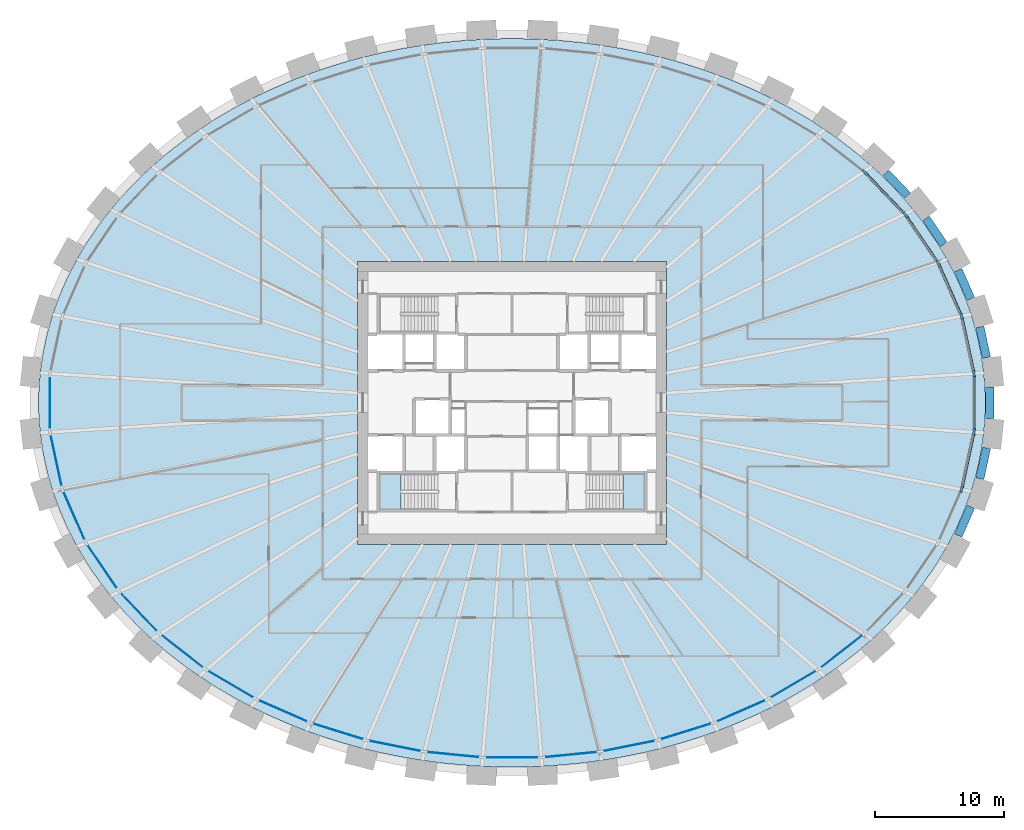
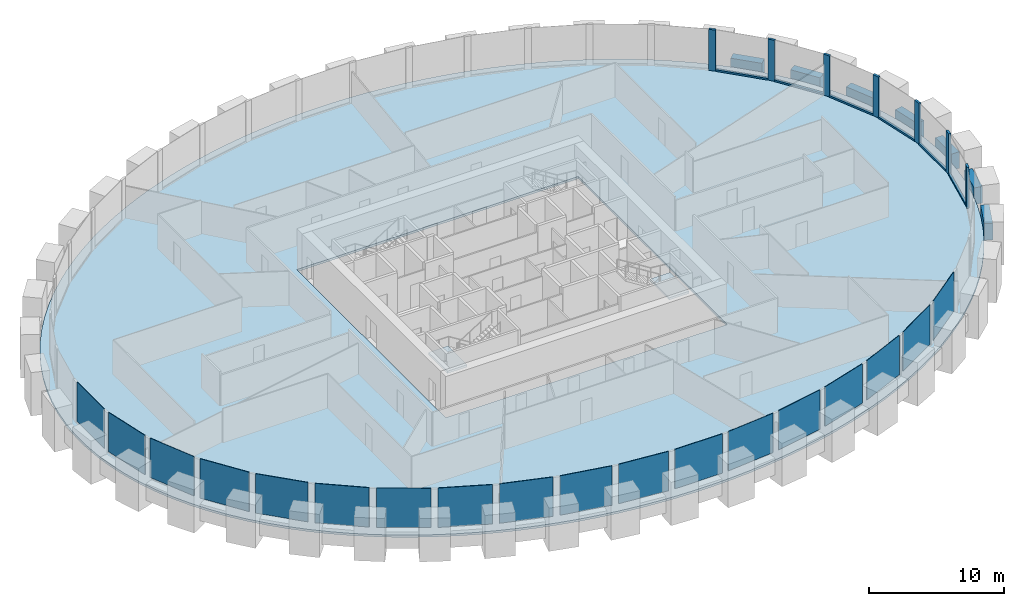
# One storey, part 4 of 10: 18 plates, 13 members, 7 beams, 3 slabs, 3 elements without a shape of their own.
"""IFC4 building model written with IfcOpenShell, lengths in metres."""

from ifc_helpers import new_model, si_unit, direction, frame, origin, origin_2d, place, context, subcontext, project, spatial, polyline, rectangle, outline, extrude, source, transform, mapped, material, layer, layer_set, material_profile, profile_set, type_object, element, aggregate, save


model = new_model("IFC4")

# Units and contexts
model_context = context("Model", 3, precision=1e-05, world=origin(), true_north=direction((0.0, 1.0)))
body_context = subcontext(model_context, "Body", "Model", "MODEL_VIEW")
ifc_project = project(units=[si_unit("LENGTHUNIT", "METRE"), si_unit("AREAUNIT", "SQUARE_METRE"), si_unit("VOLUMEUNIT", "CUBIC_METRE"), si_unit("PLANEANGLEUNIT", "RADIAN"), si_unit("MASSUNIT", "GRAM", prefix="KILO")], contexts=[model_context])

# Site, building, storey
site_placement = place(None, origin())
site = spatial("IfcSite", under=ifc_project, at=site_placement, CompositionType="ELEMENT")
building_placement = place(site_placement, origin())
building = spatial("IfcBuilding", under=site, at=building_placement, Name="Embergate Tower", CompositionType="ELEMENT")
storey_placement = place(building_placement, frame((0.0, 0.0, 171.60009765625)))
storey = spatial("IfcBuildingStorey", under=building, at=storey_placement, Name="L38", CompositionType="ELEMENT", Elevation=171.60009765625)

# Beams
ifc_material_1 = material(Name="Concrete C70", Category="concrete")
ifc_material_profile_1 = material_profile(ifc_material_1, rectangle(XDim=0.64990234375, YDim=1.5, at=origin_2d()), Name="RC 650x1500")
ifc_profile_set_1 = profile_set([ifc_material_profile_1], Name="Concrete C70")
beam_type = type_object("IfcBeamType", Name="Spandrel beam RC 650x1500 C70", PredefinedType="BEAM", material=ifc_profile_set_1)
shared_shape_1 = source(origin(), body_context, "Body", "SweptSolid", [
    extrude(rectangle(XDim=0.64990234375, YDim=1.5, at=origin_2d()), origin(), (0.0, 0.0, 1.0), 2.439697265625),
])
for number, where, z_axis, x_axis, name in (
    (1, (36.87109375, 3.508056640625, 0.0), (-0.210738503873, 0.977542471193, 0.0), (-0.977542471193, -0.210738503873, 0.0), "SPN-L38-00"),
    (2, (36.35693359375, -5.89306640625, 0.0), (0.210738503873, 0.977542471193, 0.0), (-0.977542471193, 0.210738503873, 0.0), "SPN-L38-42"),
):
    element("IfcBeam", number, at=place(storey_placement, frame(where, z_axis=z_axis, x_axis=x_axis)), inside=storey, type_object=beam_type, Name=name, PredefinedType="BEAM", context=body_context, shape_type="MappedRepresentation", body=[
        mapped(shared_shape_1, transform((0.0, 0.0, 0.0))),
    ])
shared_shape_2 = source(origin(), body_context, "Body", "SweptSolid", [
    extrude(rectangle(XDim=0.64990234375, YDim=1.5, at=origin_2d()), origin(), (0.0, 0.0, 1.0), 2.436279296875),
])
for number, where, z_axis, x_axis, name in (
    (3, (35.64990234375, 8.0810546875, 0.0), (-0.401838418441, 0.915710590452, 0.0), (-0.915710590452, -0.401838418441, 0.0), "SPN-L38-01"),
    (4, (34.6708984375, -10.31201171875, 0.0), (0.401838418441, 0.915710590452, 0.0), (-0.915710590452, 0.401838418441, 0.0), "SPN-L38-41"),
):
    element("IfcBeam", number, at=place(storey_placement, frame(where, z_axis=z_axis, x_axis=x_axis)), inside=storey, type_object=beam_type, Name=name, PredefinedType="BEAM", context=body_context, shape_type="MappedRepresentation", body=[
        mapped(shared_shape_2, transform((0.0, 0.0, 0.0))),
    ])
shared_shape_3 = source(origin(), body_context, "Body", "SweptSolid", [
    extrude(rectangle(XDim=0.64990234375, YDim=1.5, at=origin_2d()), origin(), (0.0, 0.0, 1.0), 2.42724609375),
])
beam_1_placement = place(storey_placement, frame((33.5400390625, 12.31494140625, 0.0), z_axis=(-0.562359541569, 0.826892826191, 0.0), x_axis=(-0.826892826191, -0.562359541569, 0.0)))
element("IfcBeam", 5, at=beam_1_placement, inside=storey, type_object=beam_type, Name="SPN-L38-02", PredefinedType="BEAM", context=body_context, shape_type="MappedRepresentation", body=[
    mapped(shared_shape_3, transform((0.0, 0.0, 0.0))),
])
shared_shape_4 = source(origin(), body_context, "Body", "SweptSolid", [
    extrude(rectangle(XDim=0.64990234375, YDim=1.5, at=origin_2d()), origin(), (0.0, 0.0, 1.0), 2.421630859375),
])
beam_2_placement = place(storey_placement, frame((30.72998046875, 16.111083984375, 0.0), z_axis=(-0.68996725843, 0.723840577955, 0.0), x_axis=(-0.723840577955, -0.68996725843, 0.0)))
element("IfcBeam", 6, at=beam_2_placement, inside=storey, type_object=beam_type, Name="SPN-L38-03", PredefinedType="BEAM", context=body_context, shape_type="MappedRepresentation", body=[
    mapped(shared_shape_4, transform((0.0, 0.0, 0.0))),
])
shared_shape_5 = source(origin(), body_context, "Body", "SweptSolid", [
    extrude(rectangle(XDim=0.64990234375, YDim=1.5, at=origin_2d()), origin(), (0.0, 0.0, 1.0), 2.44189453125),
])
beam_3_placement = place(storey_placement, frame((37.114013671875, -1.220947265625, 0.0), z_axis=(0.0, 1.0, 0.0), x_axis=(-1.0, 0.0, 0.0)))
element("IfcBeam", 7, at=beam_3_placement, inside=storey, type_object=beam_type, Name="SPN-L38-43", PredefinedType="BEAM", context=body_context, shape_type="MappedRepresentation", body=[
    mapped(shared_shape_5, transform((0.0, 0.0, 0.0))),
])

# Curtain wall, members
ifc_material_2 = material(Name="Aluminium and glass", Category="aluminium")
curtain_wall_type = type_object("IfcCurtainWallType", Name="Recessed office glazing", PredefinedType="NOTDEFINED", material=ifc_material_2)
curtain_wall_placement = place(storey_placement, origin())
curtain_wall = element("IfcCurtainWall", 8, at=curtain_wall_placement, inside=storey, type_object=curtain_wall_type, Name="Recessed office glazing ring", ObjectType="RECESSED OFFICE GLAZING", PredefinedType="USERDEFINED")
ifc_material_3 = material(Name="Aluminium, thermally broken", Category="aluminium")
ifc_material_profile_2 = material_profile(ifc_material_3, rectangle(XDim=0.179931640625, YDim=0.52001953125, at=origin_2d()), Name="AL 520x180")
ifc_profile_set_2 = profile_set([ifc_material_profile_2], Name="Aluminium, thermally broken")
member_type_1 = type_object("IfcMemberType", Name="Office mullion", PredefinedType="MULLION", material=ifc_profile_set_2)
shared_shape_6 = source(origin(), body_context, "Body", "SweptSolid", [
    extrude(rectangle(XDim=0.179931640625, YDim=0.52001953125, at=origin_2d()), origin(), (0.0, 0.0, 1.0), 3.699951171875),
])
member_1_placement = place(storey_placement, frame((35.899658203125, 2.263427734375, 0.0), z_axis=(0.0, 0.0, 1.0), x_axis=(-0.994384770038, -0.105824992874, 0.0)))
member_1 = element("IfcMember", 9, at=member_1_placement, type_object=member_type_1, Name="CW mullion 1", PredefinedType="MULLION", context=body_context, shape_type="MappedRepresentation", body=[
    mapped(shared_shape_6, transform((0.0, 0.0, 0.0))),
])
member_2_placement = place(storey_placement, frame((34.94677734375, 6.691650390625, 0.0), z_axis=(0.0, 0.0, 1.0), x_axis=(-0.951496187099, -0.307660536853, 0.0)))
member_2 = element("IfcMember", 10, at=member_2_placement, type_object=member_type_1, Name="CW mullion 2", PredefinedType="MULLION", context=body_context, shape_type="MappedRepresentation", body=[
    mapped(shared_shape_6, transform((0.0, 0.0, 0.0))),
])
member_3_placement = place(storey_placement, frame((33.12451171875, 10.84619140625, 0.0), z_axis=(0.0, 0.0, 1.0), x_axis=(-0.874998516019, -0.484125600402, 0.0)))
member_3 = element("IfcMember", 11, at=member_3_placement, type_object=member_type_1, Name="CW mullion 3", PredefinedType="MULLION", context=body_context, shape_type="MappedRepresentation", body=[
    mapped(shared_shape_6, transform((0.0, 0.0, 0.0))),
])
member_4_placement = place(storey_placement, frame((30.568359375, 14.60498046875, 0.0), z_axis=(0.0, 0.0, 1.0), x_axis=(-0.777867080309, -0.62842883875, 0.0)))
member_4 = element("IfcMember", 12, at=member_4_placement, type_object=member_type_1, Name="CW mullion 4", PredefinedType="MULLION", context=body_context, shape_type="MappedRepresentation", body=[
    mapped(shared_shape_6, transform((0.0, 0.0, 0.0))),
])
member_5_placement = place(storey_placement, frame((27.425537109375, 17.900634765625, 0.0), z_axis=(0.0, 0.0, 1.0), x_axis=(-0.671221359023, -0.741256964346, 0.0)))
member_5 = element("IfcMember", 13, at=member_5_placement, type_object=member_type_1, Name="CW mullion 5", PredefinedType="MULLION", context=body_context, shape_type="MappedRepresentation", body=[
    mapped(shared_shape_6, transform((0.0, 0.0, 0.0))),
])
member_6_placement = place(storey_placement, frame((34.94677734375, -6.691650390625, 0.0), z_axis=(0.0, 0.0, 1.0), x_axis=(-0.951496187099, 0.307660536853, 0.0)))
member_6 = element("IfcMember", 14, at=member_6_placement, type_object=member_type_1, Name="CW mullion 43", PredefinedType="MULLION", context=body_context, shape_type="MappedRepresentation", body=[
    mapped(shared_shape_6, transform((0.0, 0.0, 0.0))),
])
member_7_placement = place(storey_placement, frame((35.899658203125, -2.263427734375, 0.0), z_axis=(0.0, 0.0, 1.0), x_axis=(-0.994384770038, 0.105824992874, 0.0)))
member_7 = element("IfcMember", 15, at=member_7_placement, type_object=member_type_1, Name="CW mullion 44", PredefinedType="MULLION", context=body_context, shape_type="MappedRepresentation", body=[
    mapped(shared_shape_6, transform((0.0, 0.0, 0.0))),
])
ifc_material_profile_3 = material_profile(ifc_material_3, rectangle(XDim=0.179931640625, YDim=0.14990234375, at=origin_2d()), Name="AL 150x180")
ifc_profile_set_3 = profile_set([ifc_material_profile_3], Name="Aluminium, thermally broken")
member_type_2 = type_object("IfcMemberType", Name="Office sill transom", PredefinedType="USERDEFINED", material=ifc_profile_set_3)
shared_shape_7 = source(origin(), body_context, "Body", "SweptSolid", [
    extrude(rectangle(XDim=0.179931640625, YDim=0.14990234375, at=origin_2d()), origin(), (0.0, 0.0, 1.0), 4.009765625),
])
member_8_placement = place(storey_placement, frame((35.844970703125, 2.517578125, 0.074951171875), z_axis=(-0.210368972531, 0.977622061635, 0.0), x_axis=(-0.977622061635, -0.210368972531, 0.0)))
member_8 = element("IfcMember", 16, at=member_8_placement, type_object=member_type_2, Name="CW transom 1.1", ObjectType="TRANSOM", PredefinedType="USERDEFINED", context=body_context, shape_type="MappedRepresentation", body=[
    mapped(shared_shape_7, transform((0.0, 0.0, 0.0))),
])
member_9_placement = place(storey_placement, frame((35.00146484375, -6.4375, 0.074951171875), z_axis=(0.210368972531, 0.977622061635, 0.0), x_axis=(-0.977622061635, 0.210368972531, 0.0)))
member_9 = element("IfcMember", 17, at=member_9_placement, type_object=member_type_2, Name="CW transom 43.1", ObjectType="TRANSOM", PredefinedType="USERDEFINED", context=body_context, shape_type="MappedRepresentation", body=[
    mapped(shared_shape_7, transform((0.0, 0.0, 0.0))),
])
shared_shape_8 = source(origin(), body_context, "Body", "SweptSolid", [
    extrude(rectangle(XDim=0.179931640625, YDim=0.14990234375, at=origin_2d()), origin(), (0.0, 0.0, 1.0), 4.0166015625),
])
member_10_placement = place(storey_placement, frame((34.84228515625, 6.9296875, 0.074951171875), z_axis=(-0.401644503167, 0.915795661202, 0.0), x_axis=(-0.915795661202, -0.401644503167, 0.0)))
member_10 = element("IfcMember", 18, at=member_10_placement, type_object=member_type_2, Name="CW transom 2.1", ObjectType="TRANSOM", PredefinedType="USERDEFINED", context=body_context, shape_type="MappedRepresentation", body=[
    mapped(shared_shape_8, transform((0.0, 0.0, 0.0))),
])
shared_shape_9 = source(origin(), body_context, "Body", "SweptSolid", [
    extrude(rectangle(XDim=0.179931640625, YDim=0.14990234375, at=origin_2d()), origin(), (0.0, 0.0, 1.0), 4.025390625),
])
member_11_placement = place(storey_placement, frame((32.978271484375, 11.061279296875, 0.074951171875), z_axis=(-0.562346517012, 0.826901683881, 0.0), x_axis=(-0.826901683881, -0.562346517012, 0.0)))
member_11 = element("IfcMember", 19, at=member_11_placement, type_object=member_type_2, Name="CW transom 3.1", ObjectType="TRANSOM", PredefinedType="USERDEFINED", context=body_context, shape_type="MappedRepresentation", body=[
    mapped(shared_shape_9, transform((0.0, 0.0, 0.0))),
])
shared_shape_10 = source(origin(), body_context, "Body", "SweptSolid", [
    extrude(rectangle(XDim=0.179931640625, YDim=0.14990234375, at=origin_2d()), origin(), (0.0, 0.0, 1.0), 4.033935546875),
])
member_12_placement = place(storey_placement, frame((30.388916015625, 14.79296875, 0.074951171875), z_axis=(-0.690112930661, 0.723701694716, 0.0), x_axis=(-0.723701694716, -0.690112930661, 0.0)))
member_12 = element("IfcMember", 20, at=member_12_placement, type_object=member_type_2, Name="CW transom 4.1", ObjectType="TRANSOM", PredefinedType="USERDEFINED", context=body_context, shape_type="MappedRepresentation", body=[
    mapped(shared_shape_10, transform((0.0, 0.0, 0.0))),
])
shared_shape_11 = source(origin(), body_context, "Body", "SweptSolid", [
    extrude(rectangle(XDim=0.179931640625, YDim=0.14990234375, at=origin_2d()), origin(), (0.0, 0.0, 1.0), 4.0068359375),
])
member_13_placement = place(storey_placement, frame((35.899658203125, -2.00341796875, 0.074951171875), z_axis=(0.0, 1.0, 0.0), x_axis=(-1.0, 0.0, 0.0)))
member_13 = element("IfcMember", 21, at=member_13_placement, type_object=member_type_2, Name="CW transom 44.1", ObjectType="TRANSOM", PredefinedType="USERDEFINED", context=body_context, shape_type="MappedRepresentation", body=[
    mapped(shared_shape_11, transform((0.0, 0.0, 0.0))),
])

# Slab
ifc_material_4 = material(Name="Concrete C40", Category="concrete")
ifc_layer_1 = layer(ifc_material_4, 0.199951171875)
ifc_layer_set_1 = layer_set([ifc_layer_1], Name="Concrete C40")
slab_type_1 = type_object("IfcSlabType", Name="Composite floor slab C40 200", PredefinedType="FLOOR", material=ifc_layer_set_1)
shared_shape_12 = source(origin(), body_context, "Body", "SweptSolid", [
    extrude(outline(polyline([(0.0, 0.0), (1.55615234375, 0.0), (3.111083984375, 0.051025390625), (4.6669921875, 0.153076171875), (6.215087890625, 0.30517578125), (7.754150390625, 0.507080078125), (9.296142578125, 0.76318359375), (10.822021484375, 1.069091796875), (12.3291015625, 1.425048828125), (13.840087890625, 1.837158203125), (15.3251953125, 2.300048828125), (16.782958984375, 2.81201171875), (18.244140625, 3.38623046875), (19.670166015625, 4.010009765625), (21.05810546875, 4.68115234375), (22.445068359375, 5.422119140625), (23.7861328125, 6.210205078125), (25.0791015625, 7.045166015625), (26.363037109375, 7.95703125), (27.590087890625, 8.9140625), (28.756103515625, 9.9150390625), (29.900146484375, 10.9990234375), (30.97412109375, 12.125), (31.97412109375, 13.2900390625), (32.93310546875, 14.5400390625), (33.80712890625, 15.826171875), (34.594970703125, 17.14501953125), (35.317138671875, 18.541015625), (35.942138671875, 19.965087890625), (36.467041015625, 21.4130859375), (36.901123046875, 22.917236328125), (37.22802734375, 24.43603515625), (37.447021484375, 25.968017578125), (37.55810546875, 27.52001953125), (37.55810546875, 29.07421875), (37.447021484375, 30.626220703125), (37.22802734375, 32.158203125), (36.901123046875, 33.677001953125), (36.467041015625, 35.18115234375), (35.942138671875, 36.629150390625), (35.317138671875, 38.05322265625), (34.594970703125, 39.44921875), (33.80712890625, 40.76806640625), (32.93310546875, 42.05419921875), (31.97412109375, 43.30419921875), (30.97412109375, 44.46923828125), (29.900146484375, 45.59521484375), (28.756103515625, 46.67919921875), (27.590087890625, 47.68017578125), (26.363037109375, 48.63720703125), (25.0791015625, 49.549072265625), (23.7861328125, 50.384033203125), (22.445068359375, 51.172119140625), (21.05810546875, 51.9130859375), (19.670166015625, 52.584228515625), (18.244140625, 53.2080078125), (16.782958984375, 53.7822265625), (15.3251953125, 54.294189453125), (13.840087890625, 54.757080078125), (12.3291015625, 55.169189453125), (10.822021484375, 55.525146484375), (9.296142578125, 55.8310546875), (7.754150390625, 56.087158203125), (6.215087890625, 56.2890625), (4.6669921875, 56.441162109375), (3.111083984375, 56.543212890625), (1.55615234375, 56.59423828125), (0.0, 56.59423828125), (-1.554931640625, 56.543212890625), (-3.11083984375, 56.441162109375), (-4.658935546875, 56.2890625), (-6.197998046875, 56.087158203125), (-7.739990234375, 55.8310546875), (-9.265869140625, 55.525146484375), (-10.77294921875, 55.169189453125), (-12.283935546875, 54.757080078125), (-13.76904296875, 54.294189453125), (-15.226806640625, 53.7822265625), (-16.68798828125, 53.2080078125), (-18.114013671875, 52.584228515625), (-19.501953125, 51.9130859375), (-20.888916015625, 51.172119140625), (-22.22998046875, 50.384033203125), (-23.52294921875, 49.549072265625), (-24.806884765625, 48.63720703125), (-26.033935546875, 47.68017578125), (-27.199951171875, 46.67919921875), (-28.343994140625, 45.59521484375), (-29.41796875, 44.46923828125), (-30.41796875, 43.30419921875), (-31.376953125, 42.05419921875), (-32.2509765625, 40.76806640625), (-33.038818359375, 39.44921875), (-33.760986328125, 38.05322265625), (-34.385986328125, 36.629150390625), (-34.910888671875, 35.18115234375), (-35.344970703125, 33.677001953125), (-35.671875, 32.158203125), (-35.890869140625, 30.626220703125), (-36.001953125, 29.07421875), (-36.001953125, 27.52001953125), (-35.890869140625, 25.968017578125), (-35.671875, 24.43603515625), (-35.344970703125, 22.917236328125), (-34.910888671875, 21.4130859375), (-34.385986328125, 19.965087890625), (-33.760986328125, 18.541015625), (-33.038818359375, 17.14501953125), (-32.2509765625, 15.826171875), (-31.376953125, 14.5400390625), (-30.41796875, 13.2900390625), (-29.41796875, 12.125), (-28.343994140625, 10.9990234375), (-27.199951171875, 9.9150390625), (-26.033935546875, 8.9140625), (-24.806884765625, 7.95703125), (-23.52294921875, 7.045166015625), (-22.22998046875, 6.210205078125), (-20.888916015625, 5.422119140625), (-19.501953125, 4.68115234375), (-18.114013671875, 4.010009765625), (-16.68798828125, 3.38623046875), (-15.226806640625, 2.81201171875), (-13.76904296875, 2.300048828125), (-12.283935546875, 1.837158203125), (-10.77294921875, 1.425048828125), (-9.265869140625, 1.069091796875), (-7.739990234375, 0.76318359375), (-6.197998046875, 0.507080078125), (-4.658935546875, 0.30517578125), (-3.11083984375, 0.153076171875), (-1.554931640625, 0.051025390625), (0.0, 0.0)]), holes=[polyline([(-11.221923828125, 17.297119140625), (-11.221923828125, 39.297119140625), (12.778076171875, 39.297119140625), (12.778076171875, 17.297119140625), (-11.221923828125, 17.297119140625)])]), origin(), (0.0, 0.0, 1.0), 0.2001953125),
])
slab_1_placement = place(storey_placement, frame((-0.778076171875, -28.297119140625, -0.2001953125)))
element("IfcSlab", 22, at=slab_1_placement, inside=storey, type_object=slab_type_1, Name="SLB-L38-00", PredefinedType="FLOOR", context=body_context, shape_type="MappedRepresentation", body=[
    mapped(shared_shape_12, transform((0.0, 0.0, 0.0))),
])

# Plate
ifc_material_5 = material(Name="Triple glazing, low-emissivity coating", Category="glass")
ifc_layer_2 = layer(ifc_material_5, 0.035888671875)
ifc_layer_set_2 = layer_set([ifc_layer_2], Name="Triple glazing, low-emissivity coating")
plate_type = type_object("IfcPlateType", Name="Office glazing unit", PredefinedType="CURTAIN_PANEL", material=ifc_layer_set_2)
shared_shape_13 = source(origin(), body_context, "Body", "SweptSolid", [
    extrude(rectangle(XDim=4.055419921875, YDim=0.035888671875, at=origin_2d()), origin(), (0.0, 0.0, 1.0), 3.550048828125),
])
plate_1_placement = place(storey_placement, frame((-13.518798828125, -25.533935546875, 0.14990234375), z_axis=(0.0, 0.0, 1.0), x_axis=(0.954773255075, -0.29733488089, 0.0)))
plate_1 = element("IfcPlate", 23, at=plate_1_placement, type_object=plate_type, Name="CW panel 30.1", PredefinedType="CURTAIN_PANEL", context=body_context, shape_type="MappedRepresentation", body=[
    mapped(shared_shape_13, transform((0.0, 0.0, 0.0))),
])

plate_2_placement = place(storey_placement, frame((13.518798828125, -25.533935546875, 0.14990234375), z_axis=(0.0, 0.0, 1.0), x_axis=(0.954773255075, 0.29733488089, 0.0)))
plate_2 = element("IfcPlate", 24, at=plate_2_placement, type_object=plate_type, Name="CW panel 36.1", PredefinedType="CURTAIN_PANEL", context=body_context, shape_type="MappedRepresentation", body=[
    mapped(shared_shape_13, transform((0.0, 0.0, 0.0))),
])

shared_shape_14 = source(origin(), body_context, "Body", "SweptSolid", [
    extrude(rectangle(XDim=4.009765625, YDim=0.035888671875, at=origin_2d()), origin(), (0.0, 0.0, 1.0), 3.550048828125),
])
plate_3_placement = place(storey_placement, frame((-35.423095703125, -4.4775390625, 0.14990234375), z_axis=(0.0, 0.0, 1.0), x_axis=(0.210401803698, -0.977614996305, 0.0)))
plate_3 = element("IfcPlate", 25, at=plate_3_placement, type_object=plate_type, Name="CW panel 23.1", PredefinedType="CURTAIN_PANEL", context=body_context, shape_type="MappedRepresentation", body=[
    mapped(shared_shape_14, transform((0.0, 0.0, 0.0))),
])

shared_shape_15 = source(origin(), body_context, "Body", "SweptSolid", [
    extrude(rectangle(XDim=4.0166015625, YDim=0.035888671875, at=origin_2d()), origin(), (0.0, 0.0, 1.0), 3.550048828125),
])
plate_4_placement = place(storey_placement, frame((-34.03564453125, -8.76904296875, 0.14990234375), z_axis=(0.0, 0.0, 1.0), x_axis=(0.401658494584, -0.915789524797, 0.0)))
plate_4 = element("IfcPlate", 26, at=plate_4_placement, type_object=plate_type, Name="CW panel 24.1", PredefinedType="CURTAIN_PANEL", context=body_context, shape_type="MappedRepresentation", body=[
    mapped(shared_shape_15, transform((0.0, 0.0, 0.0))),
])

shared_shape_16 = source(origin(), body_context, "Body", "SweptSolid", [
    extrude(rectangle(XDim=4.025390625, YDim=0.035888671875, at=origin_2d()), origin(), (0.0, 0.0, 1.0), 3.550048828125),
])
plate_5_placement = place(storey_placement, frame((-31.846435546875, -12.7255859375, 0.14990234375), z_axis=(0.0, 0.0, 1.0), x_axis=(0.562347514787, -0.826901005328, 0.0)))
plate_5 = element("IfcPlate", 27, at=plate_5_placement, type_object=plate_type, Name="CW panel 25.1", PredefinedType="CURTAIN_PANEL", context=body_context, shape_type="MappedRepresentation", body=[
    mapped(shared_shape_16, transform((0.0, 0.0, 0.0))),
])

shared_shape_17 = source(origin(), body_context, "Body", "SweptSolid", [
    extrude(rectangle(XDim=4.0341796875, YDim=0.035888671875, at=origin_2d()), origin(), (0.0, 0.0, 1.0), 3.550048828125),
])
plate_6_placement = place(storey_placement, frame((-28.996826171875, -16.252685546875, 0.14990234375), z_axis=(0.0, 0.0, 1.0), x_axis=(0.690140099753, -0.723675785634, 0.0)))
plate_6 = element("IfcPlate", 28, at=plate_6_placement, type_object=plate_type, Name="CW panel 26.1", PredefinedType="CURTAIN_PANEL", context=body_context, shape_type="MappedRepresentation", body=[
    mapped(shared_shape_17, transform((0.0, 0.0, 0.0))),
])

shared_shape_18 = source(origin(), body_context, "Body", "SweptSolid", [
    extrude(rectangle(XDim=4.04150390625, YDim=0.035888671875, at=origin_2d()), origin(), (0.0, 0.0, 1.0), 3.550048828125),
])
plate_7_placement = place(storey_placement, frame((-25.62744140625, -19.3037109375, 0.14990234375), z_axis=(0.0, 0.0, 1.0), x_axis=(0.788324414597, -0.61525979663, 0.0)))
plate_7 = element("IfcPlate", 29, at=plate_7_placement, type_object=plate_type, Name="CW panel 27.1", PredefinedType="CURTAIN_PANEL", context=body_context, shape_type="MappedRepresentation", body=[
    mapped(shared_shape_18, transform((0.0, 0.0, 0.0))),
])

plate_8_placement = place(storey_placement, frame((25.62744140625, -19.3037109375, 0.14990234375), z_axis=(0.0, 0.0, 1.0), x_axis=(0.788324414597, 0.61525979663, 0.0)))
plate_8 = element("IfcPlate", 30, at=plate_8_placement, type_object=plate_type, Name="CW panel 39.1", PredefinedType="CURTAIN_PANEL", context=body_context, shape_type="MappedRepresentation", body=[
    mapped(shared_shape_18, transform((0.0, 0.0, 0.0))),
])

shared_shape_19 = source(origin(), body_context, "Body", "SweptSolid", [
    extrude(rectangle(XDim=4.047607421875, YDim=0.035888671875, at=origin_2d()), origin(), (0.0, 0.0, 1.0), 3.550048828125),
])
plate_9_placement = place(storey_placement, frame((-21.86083984375, -21.864501953125, 0.14990234375), z_axis=(0.0, 0.0, 1.0), x_axis=(0.862055821492, -0.506813339043, 0.0)))
plate_9 = element("IfcPlate", 31, at=plate_9_placement, type_object=plate_type, Name="CW panel 28.1", PredefinedType="CURTAIN_PANEL", context=body_context, shape_type="MappedRepresentation", body=[
    mapped(shared_shape_19, transform((0.0, 0.0, 0.0))),
])

plate_10_placement = place(storey_placement, frame((21.86083984375, -21.864501953125, 0.14990234375), z_axis=(0.0, 0.0, 1.0), x_axis=(0.862055821492, 0.506813339043, 0.0)))
plate_10 = element("IfcPlate", 32, at=plate_10_placement, type_object=plate_type, Name="CW panel 38.1", PredefinedType="CURTAIN_PANEL", context=body_context, shape_type="MappedRepresentation", body=[
    mapped(shared_shape_19, transform((0.0, 0.0, 0.0))),
])

shared_shape_20 = source(origin(), body_context, "Body", "SweptSolid", [
    extrude(rectangle(XDim=4.052001953125, YDim=0.035888671875, at=origin_2d()), origin(), (0.0, 0.0, 1.0), 3.550048828125),
])
plate_11_placement = place(storey_placement, frame((-17.797607421875, -23.937744140625, 0.14990234375), z_axis=(0.0, 0.0, 1.0), x_axis=(0.916238309467, -0.400633698365, 0.0)))
plate_11 = element("IfcPlate", 33, at=plate_11_placement, type_object=plate_type, Name="CW panel 29.1", PredefinedType="CURTAIN_PANEL", context=body_context, shape_type="MappedRepresentation", body=[
    mapped(shared_shape_20, transform((0.0, 0.0, 0.0))),
])

plate_12_placement = place(storey_placement, frame((17.797607421875, -23.937744140625, 0.14990234375), z_axis=(0.0, 0.0, 1.0), x_axis=(0.916238309467, 0.400633698365, 0.0)))
plate_12 = element("IfcPlate", 34, at=plate_12_placement, type_object=plate_type, Name="CW panel 37.1", PredefinedType="CURTAIN_PANEL", context=body_context, shape_type="MappedRepresentation", body=[
    mapped(shared_shape_20, transform((0.0, 0.0, 0.0))),
])

shared_shape_21 = source(origin(), body_context, "Body", "SweptSolid", [
    extrude(rectangle(XDim=4.0576171875, YDim=0.035888671875, at=origin_2d()), origin(), (0.0, 0.0, 1.0), 3.550048828125),
])
plate_13_placement = place(storey_placement, frame((-9.090576171875, -26.6640625, 0.14990234375), z_axis=(0.0, 0.0, 1.0), x_axis=(0.980476250608, -0.196637539636, 0.0)))
plate_13 = element("IfcPlate", 35, at=plate_13_placement, type_object=plate_type, Name="CW panel 31.1", PredefinedType="CURTAIN_PANEL", context=body_context, shape_type="MappedRepresentation", body=[
    mapped(shared_shape_21, transform((0.0, 0.0, 0.0))),
])

plate_14_placement = place(storey_placement, frame((9.090576171875, -26.6640625, 0.14990234375), z_axis=(0.0, 0.0, 1.0), x_axis=(0.980476250608, 0.196637539636, 0.0)))
plate_14 = element("IfcPlate", 36, at=plate_14_placement, type_object=plate_type, Name="CW panel 35.1", PredefinedType="CURTAIN_PANEL", context=body_context, shape_type="MappedRepresentation", body=[
    mapped(shared_shape_21, transform((0.0, 0.0, 0.0))),
])

shared_shape_22 = source(origin(), body_context, "Body", "SweptSolid", [
    extrude(rectangle(XDim=4.058837890625, YDim=0.035888671875, at=origin_2d()), origin(), (0.0, 0.0, 1.0), 3.550048828125),
])
plate_15_placement = place(storey_placement, frame((-4.568115234375, -27.338134765625, 0.14990234375), z_axis=(0.0, 0.0, 1.0), x_axis=(0.995203355531, -0.09782781373, 0.0)))
plate_15 = element("IfcPlate", 37, at=plate_15_placement, type_object=plate_type, Name="CW panel 32.1", PredefinedType="CURTAIN_PANEL", context=body_context, shape_type="MappedRepresentation", body=[
    mapped(shared_shape_22, transform((0.0, 0.0, 0.0))),
])

plate_16_placement = place(storey_placement, frame((4.568115234375, -27.338134765625, 0.14990234375), z_axis=(0.0, 0.0, 1.0), x_axis=(0.995203355531, 0.09782781373, 0.0)))
plate_16 = element("IfcPlate", 38, at=plate_16_placement, type_object=plate_type, Name="CW panel 34.1", PredefinedType="CURTAIN_PANEL", context=body_context, shape_type="MappedRepresentation", body=[
    mapped(shared_shape_22, transform((0.0, 0.0, 0.0))),
])

shared_shape_23 = source(origin(), body_context, "Body", "SweptSolid", [
    extrude(rectangle(XDim=4.05908203125, YDim=0.035888671875, at=origin_2d()), origin(), (0.0, 0.0, 1.0), 3.550048828125),
])
plate_17_placement = place(storey_placement, frame((0.0, -27.56201171875, 0.14990234375), z_axis=(0.0, 0.0, 1.0), x_axis=(1.0, 0.0, 0.0)))
plate_17 = element("IfcPlate", 39, at=plate_17_placement, type_object=plate_type, Name="CW panel 33.1", PredefinedType="CURTAIN_PANEL", context=body_context, shape_type="MappedRepresentation", body=[
    mapped(shared_shape_23, transform((0.0, 0.0, 0.0))),
])

shared_shape_24 = source(origin(), body_context, "Body", "SweptSolid", [
    extrude(rectangle(XDim=4.007080078125, YDim=0.035888671875, at=origin_2d()), origin(), (0.0, 0.0, 1.0), 3.550048828125),
])
plate_18_placement = place(storey_placement, frame((-35.899658203125, 0.0, 0.14990234375), z_axis=(0.0, 0.0, 1.0), x_axis=(0.0, -1.0, 0.0)))
plate_18 = element("IfcPlate", 40, at=plate_18_placement, type_object=plate_type, Name="CW panel 22.1", PredefinedType="CURTAIN_PANEL", context=body_context, shape_type="MappedRepresentation", body=[
    mapped(shared_shape_24, transform((0.0, 0.0, 0.0))),
])

aggregate(curtain_wall, [member_1, member_2, member_3, member_4, member_5, member_6, member_7, member_8, member_10, member_11, member_12, plate_18, plate_3, plate_4, plate_5, plate_6, plate_7, plate_9, plate_11, plate_1, plate_13, plate_15, plate_17, plate_16, plate_14, plate_2, plate_12, plate_10, plate_8, member_9, member_13])

# Stair, slab
ifc_material_6 = material(Name="Exit stair")
stair_type = type_object("IfcStairType", Name="Exit stair", PredefinedType="HALF_TURN_STAIR", material=ifc_material_6)
stair_1_placement = place(storey_placement, origin())
stair_1 = element("IfcStair", 41, at=stair_1_placement, inside=storey, type_object=stair_type, Name="L38 Exit stair 3", PredefinedType="HALF_TURN_STAIR")
ifc_layer_3 = layer(ifc_material_4, 0.199951171875)
ifc_layer_set_3 = layer_set([ifc_layer_3], Name="Concrete C40")
slab_type_2 = type_object("IfcSlabType", Name="Stair landing reinforced concrete", PredefinedType="LANDING", material=ifc_layer_set_3)
shared_shape_25 = source(origin(), body_context, "Body", "SweptSolid", [
    extrude(outline(polyline([(0.0, 0.0), (1.68994140625, 0.0), (1.68994140625, 2.800048828125), (0.0, 2.800048828125), (0.0, 0.0)])), origin(), (0.0, 0.0, 1.0), 0.199951171875),
])
slab_2_placement = place(storey_placement, frame((-10.300048828125, -8.300048828125, 1.75)))
slab_2 = element("IfcSlab", 42, at=slab_2_placement, type_object=slab_type_2, Name="ST3 landing 1", PredefinedType="LANDING", context=body_context, shape_type="MappedRepresentation", body=[
    mapped(shared_shape_25, transform((0.0, 0.0, 0.0))),
])
aggregate(stair_1, [slab_2])

stair_2_placement = place(storey_placement, origin())
stair_2 = element("IfcStair", 43, at=stair_2_placement, inside=storey, type_object=stair_type, Name="L38 Exit stair 4", PredefinedType="HALF_TURN_STAIR")
slab_3_placement = place(storey_placement, frame((8.610107421875, -8.300048828125, 1.75)))
slab_3 = element("IfcSlab", 44, at=slab_3_placement, type_object=slab_type_2, Name="ST4 landing 1", PredefinedType="LANDING", context=body_context, shape_type="MappedRepresentation", body=[
    mapped(shared_shape_25, transform((0.0, 0.0, 0.0))),
])
aggregate(stair_2, [slab_3])

save(model, "model.ifc")
